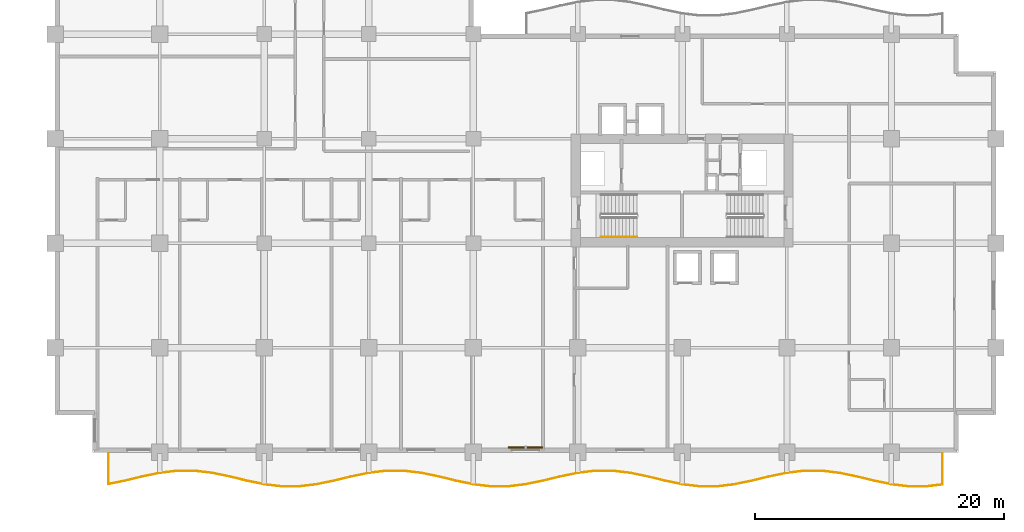
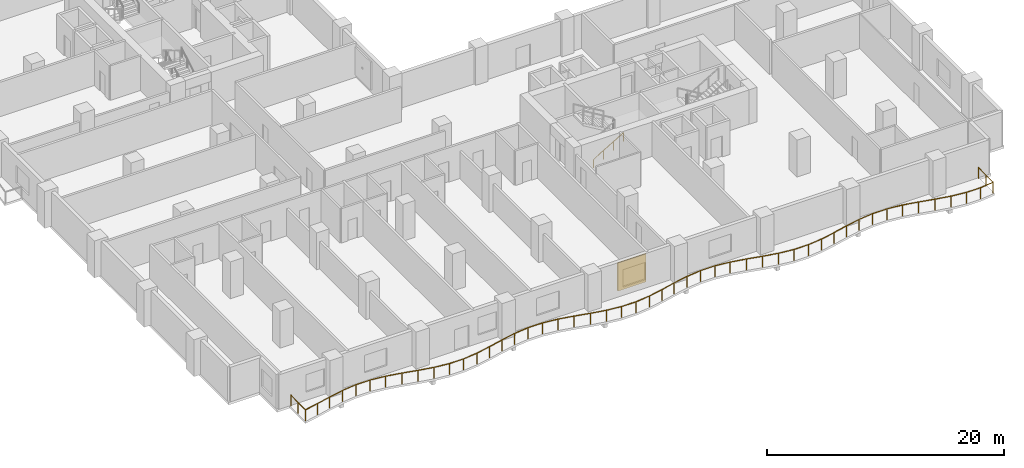
# One storey, part 14 of 17: 2 railings, 1 shading device.
"""IFC4 building model written with IfcOpenShell, lengths in metres."""

from ifc_helpers import new_model, si_unit, direction, frame, origin, origin_2d, place, context, subcontext, project, spatial, rectangle, circle, extrude, material, layer, layer_set, type_object, element, save


model = new_model("IFC4")

# Units and contexts
model_context = context("Model", 3, precision=1e-05, world=origin(), true_north=direction((0.0, 1.0)))
body_context = subcontext(model_context, "Body", "Model", "MODEL_VIEW")
ifc_project = project(units=[si_unit("LENGTHUNIT", "METRE"), si_unit("AREAUNIT", "SQUARE_METRE"), si_unit("VOLUMEUNIT", "CUBIC_METRE"), si_unit("PLANEANGLEUNIT", "RADIAN"), si_unit("MASSUNIT", "GRAM", prefix="KILO")], contexts=[model_context])

# Site, building, storey
site_placement = place(None, origin())
site = spatial("IfcSite", under=ifc_project, at=site_placement, CompositionType="ELEMENT")
building_placement = place(site_placement, origin())
building = spatial("IfcBuilding", under=site, at=building_placement, Name="Koriwani Terraces Tower", CompositionType="ELEMENT")
storey_placement = place(building_placement, frame((0.0, 0.0, 122.800048828125)))
storey = spatial("IfcBuildingStorey", under=building, at=storey_placement, Name="L29", CompositionType="ELEMENT", Elevation=122.800048828125)

# Railings
ifc_material_1 = material(Name="Steel ASTM A572 Grade 50", Category="steel")
railing_type_1 = type_object("IfcRailingType", Name="GUARD_BALUSTRADE_1150", PredefinedType="BALUSTRADE", material=ifc_material_1)
railing_1_placement = place(storey_placement, frame((4.280029296875, -0.080078125, 0.0)))
element("IfcRailing", 1, at=railing_1_placement, inside=storey, type_object=railing_type_1, Name="L29 Balcony Perimeter Safety Balustrade (S)", PredefinedType="BALUSTRADE", context=body_context, shape_type="SweptSolid", body=[
    extrude(circle(Radius=0.02392578125, at=origin_2d()), frame((0.0, 0.0, 1.1259765625), z_axis=(0.0, -1.0, 0.0), x_axis=(1.0, 0.0, 0.0)), (0.0, 0.0, 1.0), 2.481201171875),
    extrude(circle(Radius=0.02392578125, at=origin_2d()), frame((0.0, -2.481201171875, 1.1259765625), z_axis=(0.978997209688, 0.203873645729, 0.0), x_axis=(-0.203873645729, 0.978997209688, 0.0)), (0.0, 0.0, 1.0), 1.330322265625),
    extrude(circle(Radius=0.02392578125, at=origin_2d()), frame((1.302490234375, -2.2099609375, 1.1259765625), z_axis=(0.972316453264, 0.233667958249, 0.0), x_axis=(-0.233667958249, 0.972316453264, 0.0)), (0.0, 0.0, 1.0), 1.439697265625),
    extrude(circle(Radius=0.02392578125, at=origin_2d()), frame((2.702392578125, -1.87353515625, 1.1259765625), z_axis=(0.979073746732, 0.203505770089, 0.0), x_axis=(-0.203505770089, 0.979073746732, 0.0)), (0.0, 0.0, 1.0), 1.434814453125),
    extrude(circle(Radius=0.02392578125, at=origin_2d()), frame((4.107177734375, -1.58154296875, 1.1259765625), z_axis=(0.992857273618, 0.119308148191, 0.0), x_axis=(-0.119308148191, 0.992857273618, 0.0)), (0.0, 0.0, 1.0), 1.41796875),
    extrude(circle(Radius=0.02392578125, at=origin_2d()), frame((5.51513671875, -1.412353515625, 1.1259765625), z_axis=(1.0, 0.0, 0.0), x_axis=(0.0, 1.0, 0.0)), (0.0, 0.0, 1.0), 1.40966796875),
    extrude(circle(Radius=0.02392578125, at=origin_2d()), frame((6.9248046875, -1.412353515625, 1.1259765625), z_axis=(0.992857273618, -0.119308148191, 0.0), x_axis=(0.119308148191, 0.992857273618, 0.0)), (0.0, 0.0, 1.0), 1.41796875),
    extrude(circle(Radius=0.02392578125, at=origin_2d()), frame((8.332763671875, -1.58154296875, 1.1259765625), z_axis=(0.979073746732, -0.203505770089, 0.0), x_axis=(0.203505770089, 0.979073746732, 0.0)), (0.0, 0.0, 1.0), 1.434814453125),
    extrude(circle(Radius=0.02392578125, at=origin_2d()), frame((9.737548828125, -1.87353515625, 1.1259765625), z_axis=(0.972316453264, -0.233667958249, 0.0), x_axis=(0.233667958249, 0.972316453264, 0.0)), (0.0, 0.0, 1.0), 1.439697265625),
    extrude(circle(Radius=0.02392578125, at=origin_2d()), frame((11.137451171875, -2.2099609375, 1.1259765625), z_axis=(0.979008908546, -0.203817459967, 0.0), x_axis=(0.203817459967, 0.979008908546, 0.0)), (0.0, 0.0, 1.0), 1.425537109375),
    extrude(circle(Radius=0.02392578125, at=origin_2d()), frame((12.532958984375, -2.50048828125, 1.1259765625), z_axis=(0.992858697273, -0.119296300234, 0.0), x_axis=(0.119296300234, 0.992858697273, 0.0)), (0.0, 0.0, 1.0), 1.40185546875),
    extrude(circle(Radius=0.02392578125, at=origin_2d()), frame((13.9248046875, -2.667724609375, 1.1259765625), z_axis=(1.0, 0.0, 0.0), x_axis=(0.0, 1.0, 0.0)), (0.0, 0.0, 1.0), 1.390380859375),
    extrude(circle(Radius=0.02392578125, at=origin_2d()), frame((15.315185546875, -2.667724609375, 1.1259765625), z_axis=(0.992858697273, 0.119296300234, 0.0), x_axis=(-0.119296300234, 0.992858697273, 0.0)), (0.0, 0.0, 1.0), 1.40185546875),
    extrude(circle(Radius=0.02392578125, at=origin_2d()), frame((16.70703125, -2.50048828125, 1.1259765625), z_axis=(0.979008908546, 0.203817459967, 0.0), x_axis=(-0.203817459967, 0.979008908546, 0.0)), (0.0, 0.0, 1.0), 1.425537109375),
    extrude(circle(Radius=0.02392578125, at=origin_2d()), frame((18.1025390625, -2.2099609375, 1.1259765625), z_axis=(0.972316453264, 0.233667958249, 0.0), x_axis=(-0.233667958249, 0.972316453264, 0.0)), (0.0, 0.0, 1.0), 1.439697265625),
    extrude(circle(Radius=0.02392578125, at=origin_2d()), frame((19.50244140625, -1.87353515625, 1.1259765625), z_axis=(0.979066698056, 0.203539678581, 0.0), x_axis=(-0.203539678581, 0.979066698056, 0.0)), (0.0, 0.0, 1.0), 1.4345703125),
    extrude(circle(Radius=0.02392578125, at=origin_2d()), frame((20.906982421875, -1.58154296875, 1.1259765625), z_axis=(0.992859723616, 0.119287758056, 0.0), x_axis=(-0.119287758056, 0.992859723616, 0.0)), (0.0, 0.0, 1.0), 1.418212890625),
    extrude(circle(Radius=0.02392578125, at=origin_2d()), frame((22.315185546875, -1.412353515625, 1.1259765625), z_axis=(1.0, 0.0, 0.0), x_axis=(0.0, 1.0, 0.0)), (0.0, 0.0, 1.0), 1.40966796875),
    extrude(circle(Radius=0.02392578125, at=origin_2d()), frame((23.724853515625, -1.412353515625, 1.1259765625), z_axis=(0.992857273618, -0.119308148191, 0.0), x_axis=(0.119308148191, 0.992857273618, 0.0)), (0.0, 0.0, 1.0), 1.41796875),
    extrude(circle(Radius=0.02392578125, at=origin_2d()), frame((25.1328125, -1.58154296875, 1.1259765625), z_axis=(0.979066698056, -0.203539678581, 0.0), x_axis=(0.203539678581, 0.979066698056, 0.0)), (0.0, 0.0, 1.0), 1.4345703125),
    extrude(circle(Radius=0.02392578125, at=origin_2d()), frame((26.537353515625, -1.87353515625, 1.1259765625), z_axis=(0.972325709638, -0.233629438166, 0.0), x_axis=(0.233629438166, 0.972325709638, 0.0)), (0.0, 0.0, 1.0), 1.43994140625),
    extrude(circle(Radius=0.02392578125, at=origin_2d()), frame((27.9375, -2.2099609375, 1.1259765625), z_axis=(0.979001791719, -0.20385164167, 0.0), x_axis=(0.20385164167, 0.979001791719, 0.0)), (0.0, 0.0, 1.0), 1.42529296875),
    extrude(circle(Radius=0.02392578125, at=origin_2d()), frame((29.332763671875, -2.50048828125, 1.1259765625), z_axis=(0.992861175138, -0.119275676073, 0.0), x_axis=(0.119275676073, 0.992861175138, 0.0)), (0.0, 0.0, 1.0), 1.402099609375),
    extrude(circle(Radius=0.02392578125, at=origin_2d()), frame((30.724853515625, -2.667724609375, 1.1259765625), z_axis=(1.0, 0.0, 0.0), x_axis=(0.0, 1.0, 0.0)), (0.0, 0.0, 1.0), 1.390380859375),
    extrude(circle(Radius=0.02392578125, at=origin_2d()), frame((32.115234375, -2.667724609375, 1.1259765625), z_axis=(0.992858697273, 0.119296300234, 0.0), x_axis=(-0.119296300234, 0.992858697273, 0.0)), (0.0, 0.0, 1.0), 1.40185546875),
    extrude(circle(Radius=0.02392578125, at=origin_2d()), frame((33.507080078125, -2.50048828125, 1.1259765625), z_axis=(0.979008908546, 0.203817459967, 0.0), x_axis=(-0.203817459967, 0.979008908546, 0.0)), (0.0, 0.0, 1.0), 1.425537109375),
    extrude(circle(Radius=0.02392578125, at=origin_2d()), frame((34.902587890625, -2.2099609375, 1.1259765625), z_axis=(0.972316453264, 0.233667958249, 0.0), x_axis=(-0.233667958249, 0.972316453264, 0.0)), (0.0, 0.0, 1.0), 1.439697265625),
    extrude(circle(Radius=0.02392578125, at=origin_2d()), frame((36.302490234375, -1.87353515625, 1.1259765625), z_axis=(0.979066698056, 0.203539678581, 0.0), x_axis=(-0.203539678581, 0.979066698056, 0.0)), (0.0, 0.0, 1.0), 1.4345703125),
    extrude(circle(Radius=0.02392578125, at=origin_2d()), frame((37.70703125, -1.58154296875, 1.1259765625), z_axis=(0.992859723616, 0.119287758056, 0.0), x_axis=(-0.119287758056, 0.992859723616, 0.0)), (0.0, 0.0, 1.0), 1.418212890625),
    extrude(circle(Radius=0.02392578125, at=origin_2d()), frame((39.115234375, -1.412353515625, 1.1259765625), z_axis=(1.0, 0.0, 0.0), x_axis=(0.0, 1.0, 0.0)), (0.0, 0.0, 1.0), 1.409423828125),
    extrude(circle(Radius=0.02392578125, at=origin_2d()), frame((40.524658203125, -1.412353515625, 1.1259765625), z_axis=(0.992859723616, -0.119287758056, 0.0), x_axis=(0.119287758056, 0.992859723616, 0.0)), (0.0, 0.0, 1.0), 1.418212890625),
    extrude(circle(Radius=0.02392578125, at=origin_2d()), frame((41.932861328125, -1.58154296875, 1.1259765625), z_axis=(0.979066698056, -0.203539678581, 0.0), x_axis=(0.203539678581, 0.979066698056, 0.0)), (0.0, 0.0, 1.0), 1.4345703125),
    extrude(circle(Radius=0.02392578125, at=origin_2d()), frame((43.33740234375, -1.87353515625, 1.1259765625), z_axis=(0.972325709638, -0.233629438166, 0.0), x_axis=(0.233629438166, 0.972325709638, 0.0)), (0.0, 0.0, 1.0), 1.43994140625),
    extrude(circle(Radius=0.02392578125, at=origin_2d()), frame((44.737548828125, -2.2099609375, 1.1259765625), z_axis=(0.979001791719, -0.20385164167, 0.0), x_axis=(0.20385164167, 0.979001791719, 0.0)), (0.0, 0.0, 1.0), 1.42529296875),
    extrude(circle(Radius=0.02392578125, at=origin_2d()), frame((46.1328125, -2.50048828125, 1.1259765625), z_axis=(0.992858697273, -0.119296300234, 0.0), x_axis=(0.119296300234, 0.992858697273, 0.0)), (0.0, 0.0, 1.0), 1.40185546875),
    extrude(circle(Radius=0.02392578125, at=origin_2d()), frame((47.524658203125, -2.667724609375, 1.1259765625), z_axis=(1.0, 0.0, 0.0), x_axis=(0.0, 1.0, 0.0)), (0.0, 0.0, 1.0), 1.390625),
    extrude(circle(Radius=0.02392578125, at=origin_2d()), frame((48.915283203125, -2.667724609375, 1.1259765625), z_axis=(0.992858697273, 0.119296300234, 0.0), x_axis=(-0.119296300234, 0.992858697273, 0.0)), (0.0, 0.0, 1.0), 1.40185546875),
    extrude(circle(Radius=0.02392578125, at=origin_2d()), frame((50.30712890625, -2.50048828125, 1.1259765625), z_axis=(0.979001791719, 0.20385164167, 0.0), x_axis=(-0.20385164167, 0.979001791719, 0.0)), (0.0, 0.0, 1.0), 1.42529296875),
    extrude(circle(Radius=0.02392578125, at=origin_2d()), frame((51.702392578125, -2.2099609375, 1.1259765625), z_axis=(0.972325709638, 0.233629438166, 0.0), x_axis=(-0.233629438166, 0.972325709638, 0.0)), (0.0, 0.0, 1.0), 1.43994140625),
    extrude(circle(Radius=0.02392578125, at=origin_2d()), frame((53.1025390625, -1.87353515625, 1.1259765625), z_axis=(0.979066698056, 0.203539678581, 0.0), x_axis=(-0.203539678581, 0.979066698056, 0.0)), (0.0, 0.0, 1.0), 1.4345703125),
    extrude(circle(Radius=0.02392578125, at=origin_2d()), frame((54.507080078125, -1.58154296875, 1.1259765625), z_axis=(0.992859723616, 0.119287758056, 0.0), x_axis=(-0.119287758056, 0.992859723616, 0.0)), (0.0, 0.0, 1.0), 1.418212890625),
    extrude(circle(Radius=0.02392578125, at=origin_2d()), frame((55.915283203125, -1.412353515625, 1.1259765625), z_axis=(1.0, 0.0, 0.0), x_axis=(0.0, 1.0, 0.0)), (0.0, 0.0, 1.0), 1.409423828125),
    extrude(circle(Radius=0.02392578125, at=origin_2d()), frame((57.32470703125, -1.412353515625, 1.1259765625), z_axis=(0.992859723616, -0.119287758056, 0.0), x_axis=(0.119287758056, 0.992859723616, 0.0)), (0.0, 0.0, 1.0), 1.418212890625),
    extrude(circle(Radius=0.02392578125, at=origin_2d()), frame((58.73291015625, -1.58154296875, 1.1259765625), z_axis=(0.979066698056, -0.203539678581, 0.0), x_axis=(0.203539678581, 0.979066698056, 0.0)), (0.0, 0.0, 1.0), 1.4345703125),
    extrude(circle(Radius=0.02392578125, at=origin_2d()), frame((60.137451171875, -1.87353515625, 1.1259765625), z_axis=(0.972316453264, -0.233667958249, 0.0), x_axis=(0.233667958249, 0.972316453264, 0.0)), (0.0, 0.0, 1.0), 1.439697265625),
    extrude(circle(Radius=0.02392578125, at=origin_2d()), frame((61.537353515625, -2.2099609375, 1.1259765625), z_axis=(0.979008908546, -0.203817459967, 0.0), x_axis=(0.203817459967, 0.979008908546, 0.0)), (0.0, 0.0, 1.0), 1.425537109375),
    extrude(circle(Radius=0.02392578125, at=origin_2d()), frame((62.932861328125, -2.50048828125, 1.1259765625), z_axis=(0.992858697273, -0.119296300234, 0.0), x_axis=(0.119296300234, 0.992858697273, 0.0)), (0.0, 0.0, 1.0), 1.40185546875),
    extrude(circle(Radius=0.02392578125, at=origin_2d()), frame((64.32470703125, -2.667724609375, 1.1259765625), z_axis=(1.0, 0.0, 0.0), x_axis=(0.0, 1.0, 0.0)), (0.0, 0.0, 1.0), 1.390380859375),
    extrude(circle(Radius=0.02392578125, at=origin_2d()), frame((65.715087890625, -2.667724609375, 1.1259765625), z_axis=(0.992860380993, 0.119282286421, 0.0), x_axis=(-0.119282286421, 0.992860380993, 0.0)), (0.0, 0.0, 1.0), 1.33447265625),
    extrude(circle(Radius=0.02392578125, at=origin_2d()), frame((67.0400390625, -2.508544921875, 1.1259765625), z_axis=(0.0, 1.0, 0.0), x_axis=(-1.0, 0.0, 0.0)), (0.0, 0.0, 1.0), 2.508544921875),
    extrude(circle(Radius=0.02099609375, at=origin_2d()), origin(), (0.0, 0.0, 1.0), 1.101806640625),
    extrude(circle(Radius=0.02099609375, at=origin_2d()), frame((0.0, -1.24072265625, 0.0)), (0.0, 0.0, 1.0), 1.101806640625),
    extrude(circle(Radius=0.02099609375, at=origin_2d()), frame((0.0, -2.481201171875, 0.0)), (0.0, 0.0, 1.0), 1.101806640625),
    extrude(circle(Radius=0.02099609375, at=origin_2d()), frame((1.302490234375, -2.2099609375, 0.0)), (0.0, 0.0, 1.0), 1.101806640625),
    extrude(circle(Radius=0.02099609375, at=origin_2d()), frame((2.702392578125, -1.87353515625, 0.0)), (0.0, 0.0, 1.0), 1.101806640625),
    extrude(circle(Radius=0.02099609375, at=origin_2d()), frame((4.107177734375, -1.58154296875, 0.0)), (0.0, 0.0, 1.0), 1.101806640625),
    extrude(circle(Radius=0.02099609375, at=origin_2d()), frame((5.51513671875, -1.412353515625, 0.0)), (0.0, 0.0, 1.0), 1.101806640625),
    extrude(circle(Radius=0.02099609375, at=origin_2d()), frame((6.9248046875, -1.412353515625, 0.0)), (0.0, 0.0, 1.0), 1.101806640625),
    extrude(circle(Radius=0.02099609375, at=origin_2d()), frame((8.332763671875, -1.58154296875, 0.0)), (0.0, 0.0, 1.0), 1.101806640625),
    extrude(circle(Radius=0.02099609375, at=origin_2d()), frame((9.737548828125, -1.87353515625, 0.0)), (0.0, 0.0, 1.0), 1.101806640625),
    extrude(circle(Radius=0.02099609375, at=origin_2d()), frame((11.137451171875, -2.2099609375, 0.0)), (0.0, 0.0, 1.0), 1.101806640625),
    extrude(circle(Radius=0.02099609375, at=origin_2d()), frame((12.532958984375, -2.50048828125, 0.0)), (0.0, 0.0, 1.0), 1.101806640625),
    extrude(circle(Radius=0.02099609375, at=origin_2d()), frame((13.9248046875, -2.667724609375, 0.0)), (0.0, 0.0, 1.0), 1.101806640625),
    extrude(circle(Radius=0.02099609375, at=origin_2d()), frame((15.315185546875, -2.667724609375, 0.0)), (0.0, 0.0, 1.0), 1.101806640625),
    extrude(circle(Radius=0.02099609375, at=origin_2d()), frame((16.70703125, -2.50048828125, 0.0)), (0.0, 0.0, 1.0), 1.101806640625),
    extrude(circle(Radius=0.02099609375, at=origin_2d()), frame((18.1025390625, -2.2099609375, 0.0)), (0.0, 0.0, 1.0), 1.101806640625),
    extrude(circle(Radius=0.02099609375, at=origin_2d()), frame((19.50244140625, -1.87353515625, 0.0)), (0.0, 0.0, 1.0), 1.101806640625),
    extrude(circle(Radius=0.02099609375, at=origin_2d()), frame((20.906982421875, -1.58154296875, 0.0)), (0.0, 0.0, 1.0), 1.101806640625),
    extrude(circle(Radius=0.02099609375, at=origin_2d()), frame((22.315185546875, -1.412353515625, 0.0)), (0.0, 0.0, 1.0), 1.101806640625),
    extrude(circle(Radius=0.02099609375, at=origin_2d()), frame((23.724853515625, -1.412353515625, 0.0)), (0.0, 0.0, 1.0), 1.101806640625),
    extrude(circle(Radius=0.02099609375, at=origin_2d()), frame((25.1328125, -1.58154296875, 0.0)), (0.0, 0.0, 1.0), 1.101806640625),
    extrude(circle(Radius=0.02099609375, at=origin_2d()), frame((26.537353515625, -1.87353515625, 0.0)), (0.0, 0.0, 1.0), 1.101806640625),
    extrude(circle(Radius=0.02099609375, at=origin_2d()), frame((27.9375, -2.2099609375, 0.0)), (0.0, 0.0, 1.0), 1.101806640625),
    extrude(circle(Radius=0.02099609375, at=origin_2d()), frame((29.332763671875, -2.50048828125, 0.0)), (0.0, 0.0, 1.0), 1.101806640625),
    extrude(circle(Radius=0.02099609375, at=origin_2d()), frame((30.724853515625, -2.667724609375, 0.0)), (0.0, 0.0, 1.0), 1.101806640625),
    extrude(circle(Radius=0.02099609375, at=origin_2d()), frame((32.115234375, -2.667724609375, 0.0)), (0.0, 0.0, 1.0), 1.101806640625),
    extrude(circle(Radius=0.02099609375, at=origin_2d()), frame((33.507080078125, -2.50048828125, 0.0)), (0.0, 0.0, 1.0), 1.101806640625),
    extrude(circle(Radius=0.02099609375, at=origin_2d()), frame((34.902587890625, -2.2099609375, 0.0)), (0.0, 0.0, 1.0), 1.101806640625),
    extrude(circle(Radius=0.02099609375, at=origin_2d()), frame((36.302490234375, -1.87353515625, 0.0)), (0.0, 0.0, 1.0), 1.101806640625),
    extrude(circle(Radius=0.02099609375, at=origin_2d()), frame((37.70703125, -1.58154296875, 0.0)), (0.0, 0.0, 1.0), 1.101806640625),
    extrude(circle(Radius=0.02099609375, at=origin_2d()), frame((39.115234375, -1.412353515625, 0.0)), (0.0, 0.0, 1.0), 1.101806640625),
    extrude(circle(Radius=0.02099609375, at=origin_2d()), frame((40.524658203125, -1.412353515625, 0.0)), (0.0, 0.0, 1.0), 1.101806640625),
    extrude(circle(Radius=0.02099609375, at=origin_2d()), frame((41.932861328125, -1.58154296875, 0.0)), (0.0, 0.0, 1.0), 1.101806640625),
    extrude(circle(Radius=0.02099609375, at=origin_2d()), frame((43.33740234375, -1.87353515625, 0.0)), (0.0, 0.0, 1.0), 1.101806640625),
    extrude(circle(Radius=0.02099609375, at=origin_2d()), frame((44.737548828125, -2.2099609375, 0.0)), (0.0, 0.0, 1.0), 1.101806640625),
    extrude(circle(Radius=0.02099609375, at=origin_2d()), frame((46.1328125, -2.50048828125, 0.0)), (0.0, 0.0, 1.0), 1.101806640625),
    extrude(circle(Radius=0.02099609375, at=origin_2d()), frame((47.524658203125, -2.667724609375, 0.0)), (0.0, 0.0, 1.0), 1.101806640625),
    extrude(circle(Radius=0.02099609375, at=origin_2d()), frame((48.915283203125, -2.667724609375, 0.0)), (0.0, 0.0, 1.0), 1.101806640625),
    extrude(circle(Radius=0.02099609375, at=origin_2d()), frame((50.30712890625, -2.50048828125, 0.0)), (0.0, 0.0, 1.0), 1.101806640625),
    extrude(circle(Radius=0.02099609375, at=origin_2d()), frame((51.702392578125, -2.2099609375, 0.0)), (0.0, 0.0, 1.0), 1.101806640625),
    extrude(circle(Radius=0.02099609375, at=origin_2d()), frame((53.1025390625, -1.87353515625, 0.0)), (0.0, 0.0, 1.0), 1.101806640625),
    extrude(circle(Radius=0.02099609375, at=origin_2d()), frame((54.507080078125, -1.58154296875, 0.0)), (0.0, 0.0, 1.0), 1.101806640625),
    extrude(circle(Radius=0.02099609375, at=origin_2d()), frame((55.915283203125, -1.412353515625, 0.0)), (0.0, 0.0, 1.0), 1.101806640625),
    extrude(circle(Radius=0.02099609375, at=origin_2d()), frame((57.32470703125, -1.412353515625, 0.0)), (0.0, 0.0, 1.0), 1.101806640625),
    extrude(circle(Radius=0.02099609375, at=origin_2d()), frame((58.73291015625, -1.58154296875, 0.0)), (0.0, 0.0, 1.0), 1.101806640625),
    extrude(circle(Radius=0.02099609375, at=origin_2d()), frame((60.137451171875, -1.87353515625, 0.0)), (0.0, 0.0, 1.0), 1.101806640625),
    extrude(circle(Radius=0.02099609375, at=origin_2d()), frame((61.537353515625, -2.2099609375, 0.0)), (0.0, 0.0, 1.0), 1.101806640625),
    extrude(circle(Radius=0.02099609375, at=origin_2d()), frame((62.932861328125, -2.50048828125, 0.0)), (0.0, 0.0, 1.0), 1.101806640625),
    extrude(circle(Radius=0.02099609375, at=origin_2d()), frame((64.32470703125, -2.667724609375, 0.0)), (0.0, 0.0, 1.0), 1.101806640625),
    extrude(circle(Radius=0.02099609375, at=origin_2d()), frame((65.715087890625, -2.667724609375, 0.0)), (0.0, 0.0, 1.0), 1.101806640625),
    extrude(circle(Radius=0.02099609375, at=origin_2d()), frame((67.0400390625, -2.508544921875, 0.0)), (0.0, 0.0, 1.0), 1.101806640625),
    extrude(circle(Radius=0.02099609375, at=origin_2d()), frame((67.0400390625, -1.25439453125, 0.0)), (0.0, 0.0, 1.0), 1.101806640625),
    extrude(circle(Radius=0.02099609375, at=origin_2d()), frame((67.0400390625, 0.0, 0.0)), (0.0, 0.0, 1.0), 1.101806640625),
])
railing_type_2 = type_object("IfcRailingType", Name="HANDRAIL_STAIR_920", PredefinedType="HANDRAIL", material=ifc_material_1)
railing_2_placement = place(storey_placement, frame((43.85009765625, 17.300048828125, 0.172607421875)))
element("IfcRailing", 2, at=railing_2_placement, inside=storey, type_object=railing_type_2, Name="L29 ST-E1 stair handrail 1", PredefinedType="HANDRAIL", context=body_context, shape_type="SweptSolid", body=[
    extrude(circle(Radius=0.02392578125, at=origin_2d()), frame((0.0, 0.0, 0.8759765625), z_axis=(0.859141464434, 0.0, 0.511738159696), x_axis=(0.0, 1.0, 0.0)), (0.0, 0.0, 1.0), 3.375244140625),
    extrude(circle(Radius=0.02099609375, at=origin_2d()), origin(), (0.0, 0.0, 1.0), 0.851806640625),
    extrude(circle(Radius=0.02099609375, at=origin_2d()), frame((0.966552734375, 0.0, 0.57568359375)), (0.0, 0.0, 1.0), 0.851806640625),
    extrude(circle(Radius=0.02099609375, at=origin_2d()), frame((1.933349609375, 0.0, 1.151611328125)), (0.0, 0.0, 1.0), 0.851806640625),
    extrude(circle(Radius=0.02099609375, at=origin_2d()), frame((2.89990234375, 0.0, 1.727294921875)), (0.0, 0.0, 1.0), 0.851806640625),
])

# Shading device
ifc_material_2 = material(Name="Extruded Terracotta Clay", Category="masonry")
ifc_layer = layer(ifc_material_2, 0.1201171875, Name="Extruded Terracotta Clay")
ifc_layer_set = layer_set([ifc_layer], Name="Extruded Terracotta Clay")
shading_device_type = type_object("IfcShadingDeviceType", Name="TERRACOTTA_BAGUETTE_SCREEN_2800", PredefinedType="USERDEFINED", material=ifc_layer_set)
shading_device_placement = place(storey_placement, frame((37.800048828125, 0.405029296875, 0.324951171875), z_axis=(0.0, 0.0, 1.0), x_axis=(-1.0, 0.0, 0.0)))
element("IfcShadingDevice", 3, at=shading_device_placement, inside=storey, type_object=shading_device_type, Name="L29 Extruded Terracotta Baguette Screen (S-12)", ObjectType="BAGUETTE", PredefinedType="USERDEFINED", context=body_context, shape_type="SweptSolid", body=[
    extrude(rectangle(XDim=2.760009765625, YDim=0.1201171875, at=origin_2d()), origin(), (0.0, 0.0, 1.0), 2.89990234375),
])

save(model, "model.ifc")
